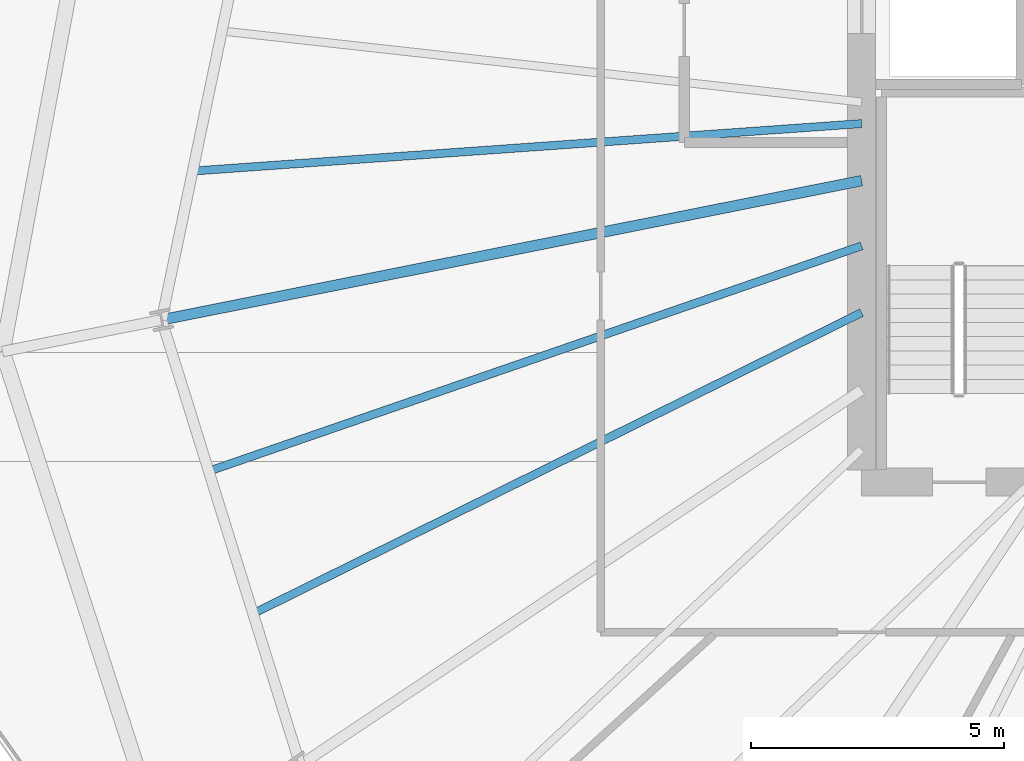
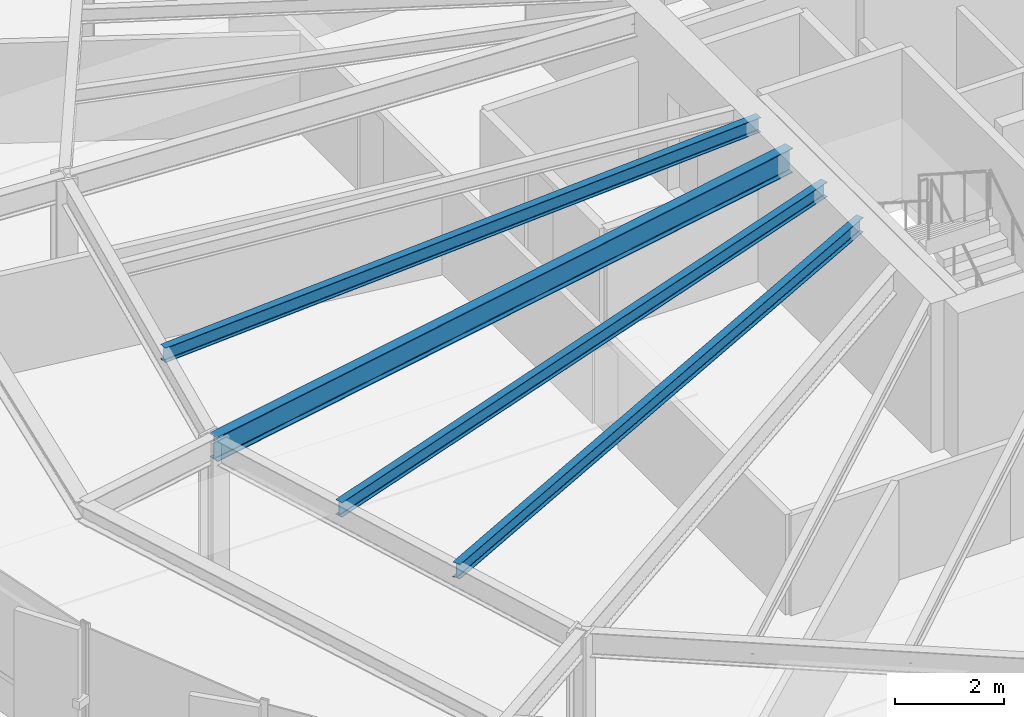
# One storey, part 9 of 35: 4 beams.
"""IFC4 building model written with IfcOpenShell, lengths in metres."""

import ifcopenshell
import ifcopenshell.guid

model = None  # the IFC model being written
_history = None  # IfcOwnerHistory: only IFC2X3 demands one
_inside = {}  # id of a spatial element -> (the spatial element, [elements in it])
_under = {}  # id of a project, library or spatial element -> (it, [spatial elements below it])
_declared = {}  # id of a project -> (the project, [libraries it declares])
_typed = {}  # id of a type object -> (the type object, [elements of that type])
_made_of = {}  # id of a material, layer set ... -> (it, [elements and type objects made of it])


def new_model(schema):
    """Start an empty IFC model of exactly this schema.

    Asked for "IFC4X3", IfcOpenShell would pick the latest addendum, in which some entities
    have other attributes; the version numbers below select the first issue.
    IFC2X3 requires an IfcOwnerHistory on every rooted entity: one is made here for all.
    """
    global model, _history
    if schema == "IFC4X3":
        model = ifcopenshell.file(schema_version=(4, 3, 0, 0))
    else:
        model = ifcopenshell.file(schema=schema)
    _inside.clear()
    _under.clear()
    _declared.clear()
    _typed.clear()
    _made_of.clear()
    _history = None
    if model.schema == "IFC2X3":
        org = make("IfcOrganization", Name="unknown")
        user = make(
            "IfcPersonAndOrganization",
            ThePerson=make("IfcPerson", FamilyName="unknown"),
            TheOrganization=org,
        )
        app = make(
            "IfcApplication",
            ApplicationDeveloper=org,
            Version="unknown",
            ApplicationFullName="unknown",
            ApplicationIdentifier="unknown",
        )
        _history = make(
            "IfcOwnerHistory",
            OwningUser=user,
            OwningApplication=app,
            ChangeAction="ADDED",
            CreationDate=0,
        )
    return model


def make(cls, **values):
    """One entity of the class cls with the attributes given. An attribute that is None is left unset."""
    return model.create_entity(
        cls, **{name: value for name, value in values.items() if value is not None}
    )


def rooted(cls, **values):
    """An entity with a GlobalId (a new one), such as an element, a storey or a relation."""
    return make(cls, GlobalId=ifcopenshell.guid.new(), OwnerHistory=_history, **values)


def si_unit(unit_type, name, prefix=None):
    """IfcSIUnit, for example si_unit("LENGTHUNIT", "METRE", prefix="MILLI")."""
    return make("IfcSIUnit", UnitType=unit_type, Prefix=prefix, Name=name)


def assignment(units):
    """IfcUnitAssignment: the units of a project."""
    return None if units is None else make("IfcUnitAssignment", Units=units)


def point(xyz):
    """IfcCartesianPoint."""
    return None if xyz is None else make("IfcCartesianPoint", Coordinates=xyz)


def direction(xyz):
    """IfcDirection."""
    return None if xyz is None else make("IfcDirection", DirectionRatios=xyz)


def frame(location, z_axis=None, x_axis=None):
    """IfcAxis2Placement3D, a coordinate frame: its origin and axes. An axis left out is left unset."""
    return make(
        "IfcAxis2Placement3D",
        Location=point(location),
        Axis=direction(z_axis),
        RefDirection=direction(x_axis),
    )


def frame_2d(location, x_axis=None):
    """IfcAxis2Placement2D, a coordinate frame in the plane: its origin and x axis."""
    return make(
        "IfcAxis2Placement2D", Location=point(location), RefDirection=direction(x_axis)
    )


def origin():
    """The frame at (0, 0, 0) with its axes left unset."""
    return frame((0.0, 0.0, 0.0))


def origin_2d():
    """The frame at (0, 0) in the plane with its x axis left unset."""
    return frame_2d((0.0, 0.0))


def place(relative_to, where):
    """IfcLocalPlacement: puts the frame where relative to a parent placement (None: the world)."""
    return make(
        "IfcLocalPlacement", PlacementRelTo=relative_to, RelativePlacement=where
    )


def context(
    kind, dimensions, precision=None, world=None, true_north=None, identifier=None
):
    """IfcGeometricRepresentationContext, for example the 3D "Model" context."""
    return make(
        "IfcGeometricRepresentationContext",
        ContextIdentifier=identifier,
        ContextType=kind,
        CoordinateSpaceDimension=dimensions,
        Precision=precision,
        WorldCoordinateSystem=world,
        TrueNorth=true_north,
    )


def subcontext(parent, identifier, kind, view, scale=None):
    """IfcGeometricRepresentationSubContext, for example "Body" below "Model"."""
    return make(
        "IfcGeometricRepresentationSubContext",
        ContextIdentifier=identifier,
        ContextType=kind,
        ParentContext=parent,
        TargetScale=scale,
        TargetView=view,
    )


def project(units=None, contexts=None):
    """IfcProject with its units and contexts."""
    return rooted(
        "IfcProject",
        Name="project",
        RepresentationContexts=contexts,
        UnitsInContext=assignment(units),
    )


def spatial(cls, under=None, at=None, **own):
    """A site, building, storey or space (cls), placed at a placement, below another one or the project."""
    s = rooted(cls, ObjectPlacement=at, **own)
    if under is not None:
        _under.setdefault(under.id(), (under, []))[1].append(s)
    return s


def profile(cls, at=None, kind="AREA", **sizes):
    """A parametric profile (cls). Its sizes go by their IFC names, for example OverallWidth=200.0."""
    return make(cls, ProfileType=kind, Position=at, **sizes)


def i_section(**sizes):
    """IfcIShapeProfileDef."""
    return profile("IfcIShapeProfileDef", **sizes)


def extrude(swept, where, along, depth):
    """IfcExtrudedAreaSolid: the profile swept, set in the frame where, extruded along a direction by depth."""
    return make(
        "IfcExtrudedAreaSolid",
        SweptArea=swept,
        Position=where,
        ExtrudedDirection=direction(along),
        Depth=depth,
    )


def shape(context_of_items, identifier, shape_type, items):
    """IfcShapeRepresentation: the items that make up one representation, for example the "Body"."""
    return make(
        "IfcShapeRepresentation",
        ContextOfItems=context_of_items,
        RepresentationIdentifier=identifier,
        RepresentationType=shape_type,
        Items=items,
    )


def source(mapping_origin, context_of_items, identifier, shape_type, items):
    """IfcRepresentationMap: a shape defined once, which mapped items show again and again."""
    return make(
        "IfcRepresentationMap",
        MappingOrigin=mapping_origin,
        MappedRepresentation=shape(context_of_items, identifier, shape_type, items),
    )


def transform(
    local_origin,
    x_axis=None,
    y_axis=None,
    z_axis=None,
    scale=None,
    scale2=None,
    scale3=None,
    uniform=True,
):
    """IfcCartesianTransformationOperator3D, or its non-uniform kind. x_axis, y_axis, z_axis: its Axis1, 2, 3."""
    if uniform:
        return make(
            "IfcCartesianTransformationOperator3D",
            Axis1=direction(x_axis),
            Axis2=direction(y_axis),
            LocalOrigin=point(local_origin),
            Scale=scale,
            Axis3=direction(z_axis),
        )
    return make(
        "IfcCartesianTransformationOperator3DnonUniform",
        Axis1=direction(x_axis),
        Axis2=direction(y_axis),
        LocalOrigin=point(local_origin),
        Scale=scale,
        Axis3=direction(z_axis),
        Scale2=scale2,
        Scale3=scale3,
    )


def mapped(mapping_source, mapping_target):
    """IfcMappedItem: shows the shape of a source again, moved by a transform."""
    return make(
        "IfcMappedItem", MappingSource=mapping_source, MappingTarget=mapping_target
    )


def material(Name=None, Category=None):
    """IfcMaterial."""
    return make("IfcMaterial", Name=Name, Category=Category)


def material_profile(
    of_material, cross_section, Name=None, Category=None, Priority=None
):
    """IfcMaterialProfile: a cross section and its material."""
    return make(
        "IfcMaterialProfile",
        Name=Name,
        Material=of_material,
        Profile=cross_section,
        Priority=Priority,
        Category=Category,
    )


def profile_set(profiles, Name=None, composite=None):
    """IfcMaterialProfileSet."""
    return make(
        "IfcMaterialProfileSet",
        Name=Name,
        MaterialProfiles=profiles,
        CompositeProfile=composite,
    )


def made_of(thing, what):
    """Note that an element or type object is made of a material, layer set ...; save() writes the relation."""
    if what is not None:
        _made_of.setdefault(what.id(), (what, []))[1].append(thing)
    return thing


def type_object(cls, material=None, **own):
    """A type object (cls), such as IfcWallType, which elements share."""
    return made_of(rooted(cls, **own), material)


def element(
    cls,
    number,
    at=None,
    inside=None,
    cuts=None,
    type_object=None,
    material=None,
    context=None,
    identifier="Body",
    shape_type=None,
    held_by="IfcProductDefinitionShape",
    body=None,
    shapes=None,
    **own,
):
    """One element of the class cls, such as IfcWall. Its Tag is "e" and its number.

    at: its placement. inside: the storey or other place that contains it. cuts: it is an
    opening in that element (IfcRelVoidsElement). A single representation is given by context,
    identifier, shape_type and body (its items); several are given by shapes. held_by: the class
    of the entity that holds the representations. save() writes the other relations.
    """
    e = rooted(cls, Tag="e%d" % number, ObjectPlacement=at, **own)
    if body is not None:
        shapes = [shape(context, identifier, shape_type, body)]
    if shapes is not None:
        e.Representation = make(held_by, Representations=shapes)
    if inside is not None:
        _inside.setdefault(inside.id(), (inside, []))[1].append(e)
    if cuts is not None:
        rooted(
            "IfcRelVoidsElement", RelatingBuildingElement=cuts, RelatedOpeningElement=e
        )
    if type_object is not None:
        _typed.setdefault(type_object.id(), (type_object, []))[1].append(e)
    return made_of(e, material)


def aggregate(whole, parts):
    """IfcRelAggregates: a whole, such as a stair, and the parts it consists of."""
    return rooted("IfcRelAggregates", RelatingObject=whole, RelatedObjects=parts)


def save(model, path):
    """Write the relations noted so far, then the file.

    IfcRelAggregates (storeys below a building ...), IfcRelContainedInSpatialStructure (elements
    in a storey), IfcRelDefinesByType, IfcRelAssociatesMaterial and IfcRelDeclares: one each for
    every whole, place, type object, material and project.
    """
    for whole, parts in _under.values():
        aggregate(whole, parts)
    for where, things in _inside.values():
        rooted(
            "IfcRelContainedInSpatialStructure",
            RelatedElements=things,
            RelatingStructure=where,
        )
    for kind, things in _typed.values():
        rooted("IfcRelDefinesByType", RelatedObjects=things, RelatingType=kind)
    for what, things in _made_of.values():
        rooted("IfcRelAssociatesMaterial", RelatedObjects=things, RelatingMaterial=what)
    for by, libraries in _declared.values():
        rooted("IfcRelDeclares", RelatingContext=by, RelatedDefinitions=libraries)
    model.write(path)


model = new_model("IFC4")

# Units and contexts
model_context = context("Model", 3, precision=1e-05, world=origin(), true_north=direction((0.0, 1.0)))
body_context = subcontext(model_context, "Body", "Model", "MODEL_VIEW")
ifc_project = project(units=[si_unit("LENGTHUNIT", "METRE"), si_unit("AREAUNIT", "SQUARE_METRE"), si_unit("VOLUMEUNIT", "CUBIC_METRE"), si_unit("PLANEANGLEUNIT", "RADIAN"), si_unit("MASSUNIT", "GRAM", prefix="KILO"), si_unit("THERMODYNAMICTEMPERATUREUNIT", "KELVIN")], contexts=[model_context])

# Site, building, storey
site_placement = place(None, origin())
site = spatial("IfcSite", under=ifc_project, at=site_placement, CompositionType="ELEMENT")
building_placement = place(site_placement, origin())
building = spatial("IfcBuilding", under=site, at=building_placement, Name="Kethvar Cultural Tower", CompositionType="ELEMENT")
storey_placement = place(building_placement, frame((0.0, 0.0, 103.60009765625)))
storey = spatial("IfcBuildingStorey", under=building, at=storey_placement, Name="L25", CompositionType="ELEMENT", Elevation=103.60009765625)

# Beams
ifc_material = material(Name="Steel S355J2", Category="steel")
ifc_material_profile_1 = material_profile(ifc_material, i_section(OverallWidth=0.2099609375, OverallDepth=0.550048828125, WebThickness=0.010986328125, FlangeThickness=0.01708984375, FilletRadius=0.02392578125, at=origin_2d()), Name="Steel S355J2 — IPE550")
ifc_profile_set_1 = profile_set([ifc_material_profile_1], Name="Steel S355J2 — IPE550")
beam_type_1 = type_object("IfcBeamType", Name="BM-IPE550", PredefinedType="BEAM", material=ifc_profile_set_1)
shared_shape_1 = source(origin(), body_context, "Body", "SweptSolid", [
    extrude(i_section(OverallWidth=0.2099609375, OverallDepth=0.550048828125, WebThickness=0.010986328125, FlangeThickness=0.01708984375, FilletRadius=0.02392578125, at=origin_2d()), origin(), (0.0, 0.0, 1.0), 14.085205078125),
])
beam_1_placement = place(storey_placement, frame((38.0, 26.049560546875, 3.072998046875), z_axis=(-0.98078679373, -0.195082713854, 0.0), x_axis=(0.195082713854, -0.98078679373, 0.0)))
element("IfcBeam", 1, at=beam_1_placement, inside=storey, type_object=beam_type_1, Name="L25 Primary Radial Beam RB-09", PredefinedType="BEAM", context=body_context, shape_type="MappedRepresentation", body=[
    mapped(shared_shape_1, transform((0.0, 0.0, 0.0), scale=1.0)),
])
ifc_material_profile_2 = material_profile(ifc_material, i_section(OverallWidth=0.159912109375, OverallDepth=0.330078125, WebThickness=0.007568359375, FlangeThickness=0.011474609375, FilletRadius=0.01806640625, at=origin_2d()), Name="Steel S355J2 — IPE330")
ifc_profile_set_2 = profile_set([ifc_material_profile_2], Name="Steel S355J2 — IPE330")
beam_type_2 = type_object("IfcBeamType", Name="BM-J330", PredefinedType="JOIST", material=ifc_profile_set_2)
shared_shape_2 = source(origin(), body_context, "Body", "SweptSolid", [
    extrude(i_section(OverallWidth=0.159912109375, OverallDepth=0.330078125, WebThickness=0.007568359375, FlangeThickness=0.011474609375, FilletRadius=0.01806640625, at=origin_2d()), origin(), (0.0, 0.0, 1.0), 13.234619140625),
])
beam_2_placement = place(storey_placement, frame((38.0, 27.175537109375, 3.182861328125), z_axis=(-0.997490530945, -0.070800004767, 0.0), x_axis=(0.070800004767, -0.997490530945, 0.0)))
element("IfcBeam", 2, at=beam_2_placement, inside=storey, type_object=beam_type_2, Name="L25 Composite Floor Joist J-08B", PredefinedType="JOIST", context=body_context, shape_type="MappedRepresentation", body=[
    mapped(shared_shape_2, transform((0.0, 0.0, 0.0), scale=1.0)),
])
shared_shape_3 = source(origin(), body_context, "Body", "SweptSolid", [
    extrude(i_section(OverallWidth=0.159912109375, OverallDepth=0.330078125, WebThickness=0.007568359375, FlangeThickness=0.011474609375, FilletRadius=0.01806640625, at=origin_2d()), origin(), (0.0, 0.0, 1.0), 13.630615234375),
])
beam_3_placement = place(storey_placement, frame((38.0, 24.762451171875, 3.182861328125), z_axis=(-0.945269577646, -0.326290400682, 0.0), x_axis=(0.326290400682, -0.945269577646, 0.0)))
element("IfcBeam", 3, at=beam_3_placement, inside=storey, type_object=beam_type_2, Name="L25 Composite Floor Joist J-09A", PredefinedType="JOIST", context=body_context, shape_type="MappedRepresentation", body=[
    mapped(shared_shape_3, transform((0.0, 0.0, 0.0), scale=1.0)),
])
shared_shape_4 = source(origin(), body_context, "Body", "SweptSolid", [
    extrude(i_section(OverallWidth=0.159912109375, OverallDepth=0.330078125, WebThickness=0.007568359375, FlangeThickness=0.011474609375, FilletRadius=0.01806640625, at=origin_2d()), origin(), (0.0, 0.0, 1.0), 13.39892578125),
])
beam_4_placement = place(storey_placement, frame((38.0, 23.44580078125, 3.182861328125), z_axis=(-0.896292467417, -0.44346342899, 0.0), x_axis=(0.44346342899, -0.896292467417, 0.0)))
element("IfcBeam", 4, at=beam_4_placement, inside=storey, type_object=beam_type_2, Name="L25 Composite Floor Joist J-09B", PredefinedType="JOIST", context=body_context, shape_type="MappedRepresentation", body=[
    mapped(shared_shape_4, transform((0.0, 0.0, 0.0), scale=1.0)),
])

save(model, "model.ifc")
